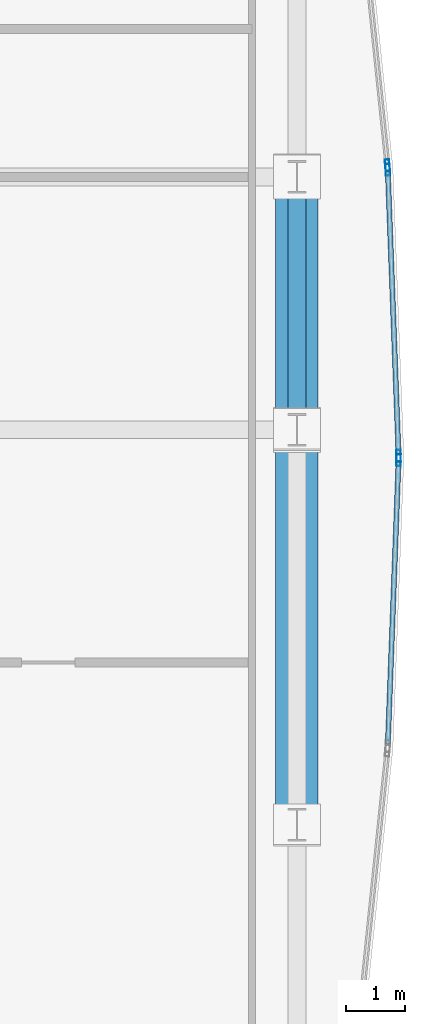
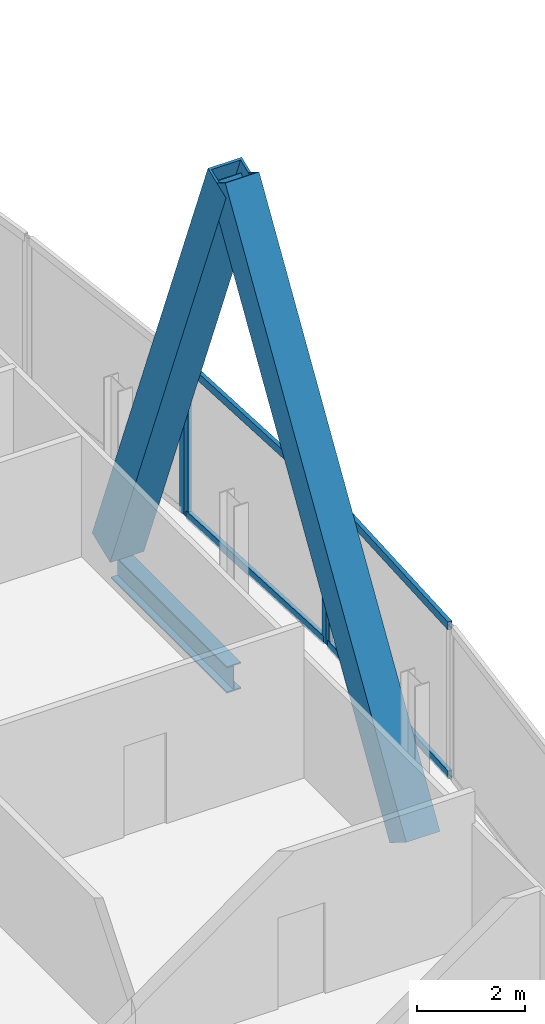
# One storey, part 22 of 30: 10 members, 1 beam, 3 elements without a shape of their own.
"""IFC4 building model written with IfcOpenShell, lengths in metres."""

from ifc_helpers import new_model, si_unit, direction, frame, origin, origin_2d, place, context, subcontext, project, spatial, hollow_rectangle, i_section, extrude, material, material_profile, profile_set, type_object, element, aggregate, save


model = new_model("IFC4")

# Units and contexts
model_context = context("Model", 3, precision=1e-05, world=origin(), true_north=direction((0.0, 1.0)))
body_context = subcontext(model_context, "Body", "Model", "MODEL_VIEW")
ifc_project = project(units=[si_unit("LENGTHUNIT", "METRE"), si_unit("AREAUNIT", "SQUARE_METRE"), si_unit("VOLUMEUNIT", "CUBIC_METRE"), si_unit("PLANEANGLEUNIT", "RADIAN"), si_unit("MASSUNIT", "GRAM", prefix="KILO")], contexts=[model_context])

# Site, building, storey
site_placement = place(None, origin())
site = spatial("IfcSite", under=ifc_project, at=site_placement, CompositionType="ELEMENT")
building_placement = place(site_placement, origin())
building = spatial("IfcBuilding", under=site, at=building_placement, Name="Khoronbel Lancet Exchange", CompositionType="ELEMENT")
storey_placement = place(building_placement, frame((0.0, 0.0, 147.0)))
storey = spatial("IfcBuildingStorey", under=building, at=storey_placement, Name="L36", CompositionType="ELEMENT", Elevation=147.0)

# Beam
ifc_material_1 = material(Name="Steel S355", Category="steel")
ifc_material_profile_1 = material_profile(ifc_material_1, i_section(OverallWidth=0.300048828125, OverallDepth=0.60009765625, WebThickness=0.015380859375, FlangeThickness=0.030029296875, at=origin_2d()), Name="HEB 600")
ifc_profile_set_1 = profile_set([ifc_material_profile_1], Name="Steel S355")
beam_type = type_object("IfcBeamType", Name="BM-BSP2", PredefinedType="SPANDREL", material=ifc_profile_set_1)
beam_placement = place(storey_placement, frame((67.6298828125, 31.425048828125, -0.4599609375), z_axis=(0.0, 1.0, 0.0), x_axis=(-1.0, 0.0, 0.0)))
element("IfcBeam", 1, at=beam_placement, inside=storey, type_object=beam_type, Name="Level L36 perimeter spandrel beam SP13", PredefinedType="SPANDREL", context=body_context, shape_type="SweptSolid", body=[
    extrude(i_section(OverallWidth=0.300048828125, OverallDepth=0.60009765625, WebThickness=0.015380859375, FlangeThickness=0.030029296875, at=origin_2d()), origin(), (0.0, 0.0, 1.0), 4.27490234375),
])

# Curtain wall, member
ifc_material_2 = material(Name="Low-E Solar Control Insulating Glass", Category="glass")
curtain_wall_type = type_object("IfcCurtainWallType", Name="CW-4", PredefinedType="NOTDEFINED", material=ifc_material_2)
curtain_wall_1_placement = place(storey_placement, origin())
curtain_wall_1 = element("IfcCurtainWall", 2, at=curtain_wall_1_placement, inside=storey, type_object=curtain_wall_type, Name="Unitised curtain wall CW-L36-E18", PredefinedType="NOTDEFINED")
ifc_material_3 = material(Name="Bronze-Anodised Aluminium 6063-T6", Category="aluminium")
ifc_material_profile_2 = material_profile(ifc_material_3, hollow_rectangle(XDim=0.074951171875, YDim=0.199951171875, WallThickness=0.0048828125, at=origin_2d()), Name="ALU MULLION 75x200")
ifc_profile_set_2 = profile_set([ifc_material_profile_2], Name="Bronze-Anodised Aluminium 6063-T6")
member_type_1 = type_object("IfcMemberType", Name="MEM-CWM2", PredefinedType="MULLION", material=ifc_profile_set_2)
member_1_placement = place(storey_placement, frame((69.16015625, 35.897705078125, 0.0), z_axis=(0.0, 0.0, 1.0), x_axis=(0.994688434151, 0.10293162277, 0.0)))
member_1 = element("IfcMember", 3, at=member_1_placement, type_object=member_type_1, Name="CW4 mullion 2", PredefinedType="MULLION", context=body_context, shape_type="SweptSolid", body=[
    extrude(hollow_rectangle(XDim=0.074951171875, YDim=0.199951171875, WallThickness=0.0048828125, at=origin_2d()), origin(), (0.0, 0.0, 1.0), 3.43994140625),
])
aggregate(curtain_wall_1, [member_1])

# Curtain wall, members
curtain_wall_2_placement = place(storey_placement, origin())
curtain_wall_2 = element("IfcCurtainWall", 4, at=curtain_wall_2_placement, inside=storey, type_object=curtain_wall_type, Name="Unitised curtain wall CW-L36-E19", PredefinedType="NOTDEFINED")
member_2_placement = place(storey_placement, frame((69.165283203125, 35.822998046875, 0.0), z_axis=(0.0, 0.0, 1.0), x_axis=(0.999284139325, 0.037831321592, 0.0)))
member_2 = element("IfcMember", 5, at=member_2_placement, type_object=member_type_1, Name="CW4 mullion 1", PredefinedType="MULLION", context=body_context, shape_type="SweptSolid", body=[
    extrude(hollow_rectangle(XDim=0.074951171875, YDim=0.199951171875, WallThickness=0.0048828125, at=origin_2d()), origin(), (0.0, 0.0, 1.0), 3.43994140625),
])
member_3_placement = place(storey_placement, frame((69.348388671875, 30.987548828125, 0.0), z_axis=(0.0, 0.0, 1.0), x_axis=(0.999284139325, 0.037831321592, 0.0)))
member_3 = element("IfcMember", 6, at=member_3_placement, type_object=member_type_1, Name="CW4 mullion 2", PredefinedType="MULLION", context=body_context, shape_type="SweptSolid", body=[
    extrude(hollow_rectangle(XDim=0.074951171875, YDim=0.199951171875, WallThickness=0.0048828125, at=origin_2d()), origin(), (0.0, 0.0, 1.0), 3.43994140625),
])

# Curtain wall, member
curtain_wall_3_placement = place(storey_placement, origin())
curtain_wall_3 = element("IfcCurtainWall", 7, at=curtain_wall_3_placement, inside=storey, type_object=curtain_wall_type, Name="Unitised curtain wall CW-L36-E20", PredefinedType="NOTDEFINED")
member_4_placement = place(storey_placement, frame((69.348388671875, 30.91259765625, 0.0), z_axis=(0.0, 0.0, 1.0), x_axis=(0.999284139325, -0.037831321592, 0.0)))
member_4 = element("IfcMember", 8, at=member_4_placement, type_object=member_type_1, Name="CW4 mullion 1", PredefinedType="MULLION", context=body_context, shape_type="SweptSolid", body=[
    extrude(hollow_rectangle(XDim=0.074951171875, YDim=0.199951171875, WallThickness=0.0048828125, at=origin_2d()), origin(), (0.0, 0.0, 1.0), 3.43994140625),
])

# Member
ifc_material_profile_3 = material_profile(ifc_material_3, hollow_rectangle(XDim=0.0849609375, YDim=0.179931640625, WallThickness=0.0048828125, at=origin_2d()), Name="ALU TRANSOM 85x180")
ifc_profile_set_3 = profile_set([ifc_material_profile_3], Name="Bronze-Anodised Aluminium 6063-T6")
member_type_2 = type_object("IfcMemberType", Name="MEM-CWT1", PredefinedType="USERDEFINED", material=ifc_profile_set_3)
member_5_placement = place(storey_placement, frame((69.166748046875, 35.785400390625, 0.04248046875), z_axis=(0.037821015577, -0.999284529441, 0.0), x_axis=(0.999284529441, 0.037821015577, 0.0)))
member_5 = element("IfcMember", 9, at=member_5_placement, type_object=member_type_2, Name="CW4 transom 1.1", ObjectType="TRANSOM", PredefinedType="USERDEFINED", context=body_context, shape_type="SweptSolid", body=[
    extrude(hollow_rectangle(XDim=0.0849609375, YDim=0.179931640625, WallThickness=0.0048828125, at=origin_2d()), origin(), (0.0, 0.0, 1.0), 4.763916015625),
])

member_6_placement = place(storey_placement, frame((69.166748046875, 35.785400390625, 3.3974609375), z_axis=(0.037821015577, -0.999284529441, 0.0), x_axis=(0.999284529441, 0.037821015577, 0.0)))
member_6 = element("IfcMember", 10, at=member_6_placement, type_object=member_type_2, Name="CW4 transom 1.2", ObjectType="TRANSOM", PredefinedType="USERDEFINED", context=body_context, shape_type="SweptSolid", body=[
    extrude(hollow_rectangle(XDim=0.0849609375, YDim=0.179931640625, WallThickness=0.0048828125, at=origin_2d()), origin(), (0.0, 0.0, 1.0), 4.763916015625),
])

aggregate(curtain_wall_2, [member_2, member_3, member_5, member_6])

member_7_placement = place(storey_placement, frame((69.346923828125, 30.875, 0.04248046875), z_axis=(-0.037821015577, -0.999284529441, 0.0), x_axis=(0.999284529441, -0.037821015577, 0.0)))
member_7 = element("IfcMember", 11, at=member_7_placement, type_object=member_type_2, Name="CW4 transom 1.1", ObjectType="TRANSOM", PredefinedType="USERDEFINED", context=body_context, shape_type="SweptSolid", body=[
    extrude(hollow_rectangle(XDim=0.0849609375, YDim=0.179931640625, WallThickness=0.0048828125, at=origin_2d()), origin(), (0.0, 0.0, 1.0), 4.763916015625),
])

member_8_placement = place(storey_placement, frame((69.346923828125, 30.875, 3.3974609375), z_axis=(-0.037821015577, -0.999284529441, 0.0), x_axis=(0.999284529441, -0.037821015577, 0.0)))
member_8 = element("IfcMember", 12, at=member_8_placement, type_object=member_type_2, Name="CW4 transom 1.2", ObjectType="TRANSOM", PredefinedType="USERDEFINED", context=body_context, shape_type="SweptSolid", body=[
    extrude(hollow_rectangle(XDim=0.0849609375, YDim=0.179931640625, WallThickness=0.0048828125, at=origin_2d()), origin(), (0.0, 0.0, 1.0), 4.763916015625),
])

aggregate(curtain_wall_3, [member_4, member_7, member_8])

# Members
ifc_material_4 = material(Name="Steel S460", Category="steel")
ifc_material_profile_4 = material_profile(ifc_material_4, hollow_rectangle(XDim=0.719970703125, YDim=0.719970703125, WallThickness=0.050048828125, at=origin_2d()), Name="BOX 720x720x50")
ifc_profile_set_4 = profile_set([ifc_material_profile_4], Name="Steel S460")
member_type_3 = type_object("IfcMemberType", Name="MEM-MB2", PredefinedType="BRACE", material=ifc_profile_set_4)
member_9_placement = place(storey_placement, frame((67.6298828125, 24.75, 0.0), z_axis=(0.0, 0.525745449971, 0.850641946906), x_axis=(-1.0, 0.0, 0.0)))
element("IfcMember", 13, at=member_9_placement, inside=storey, type_object=member_type_3, Name="Perimeter lancet brace tier 12 E-P-L", PredefinedType="BRACE", context=body_context, shape_type="SweptSolid", body=[
    extrude(hollow_rectangle(XDim=0.719970703125, YDim=0.719970703125, WallThickness=0.050048828125, at=origin_2d()), origin(), (0.0, 0.0, 1.0), 12.6962890625),
])
member_10_placement = place(storey_placement, frame((67.6298828125, 35.699951171875, 0.0), z_axis=(0.0, -0.368039743753, 0.929810059646), x_axis=(1.0, 0.0, 0.0)))
element("IfcMember", 14, at=member_10_placement, inside=storey, type_object=member_type_3, Name="Perimeter lancet brace tier 12 E-P-R", PredefinedType="BRACE", context=body_context, shape_type="SweptSolid", body=[
    extrude(hollow_rectangle(XDim=0.719970703125, YDim=0.719970703125, WallThickness=0.050048828125, at=origin_2d()), origin(), (0.0, 0.0, 1.0), 11.615234375),
])

save(model, "model.ifc")
